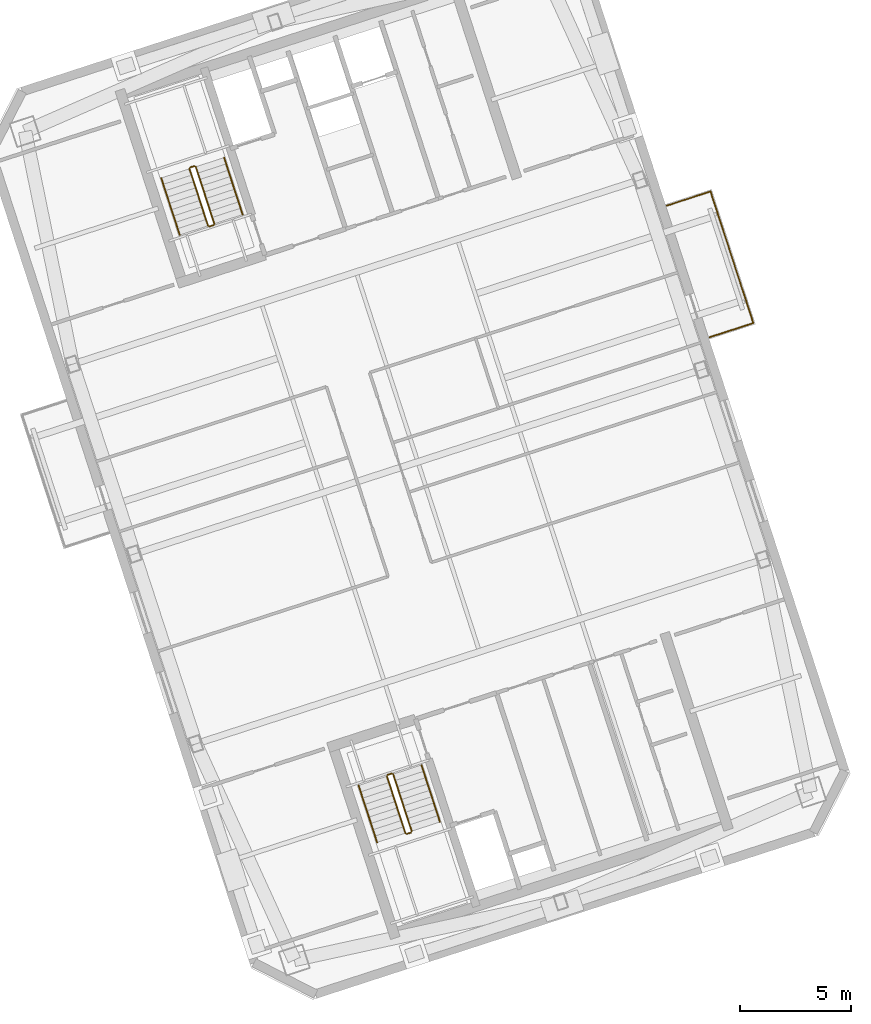
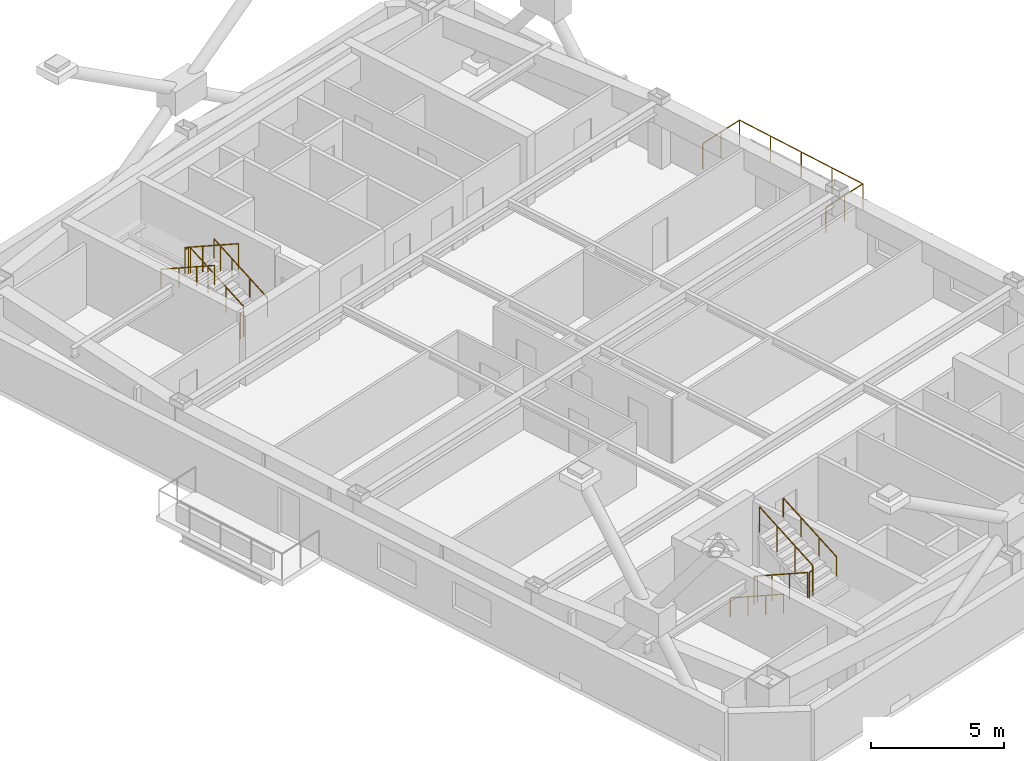
# One storey, part 16 of 16: 13 railings.
"""IFC4 building model written with IfcOpenShell, lengths in metres."""

from ifc_helpers import new_model, si_unit, direction, frame, origin, origin_2d, place, context, subcontext, project, spatial, circle, extrude, material, type_object, element, save


model = new_model("IFC4")

# Units and contexts
model_context = context("Model", 3, precision=1e-05, world=origin(), true_north=direction((0.0, 1.0)))
body_context = subcontext(model_context, "Body", "Model", "MODEL_VIEW")
ifc_project = project(units=[si_unit("LENGTHUNIT", "METRE"), si_unit("AREAUNIT", "SQUARE_METRE"), si_unit("VOLUMEUNIT", "CUBIC_METRE"), si_unit("PLANEANGLEUNIT", "RADIAN"), si_unit("MASSUNIT", "GRAM", prefix="KILO")], contexts=[model_context])

# Site, building, storey
site_placement = place(None, origin())
site = spatial("IfcSite", under=ifc_project, at=site_placement, CompositionType="ELEMENT")
building_placement = place(site_placement, origin())
building = spatial("IfcBuilding", under=site, at=building_placement, Name="Qiaolan Cultural Towers", CompositionType="ELEMENT")
storey_placement = place(building_placement, frame((0.0, 0.0, 240.800048828125)))
storey = spatial("IfcBuildingStorey", under=building, at=storey_placement, Name="L65", CompositionType="ELEMENT", Elevation=240.800048828125)

# Railings
ifc_material_1 = material(Name="Laminated SentryGlas & Stainless Steel S31608 Balustrade", Category="steel")
railing_type_1 = type_object("IfcRailingType", Name="GRD-TERR-1200", PredefinedType="BALUSTRADE", material=ifc_material_1)
railing_1_placement = place(storey_placement, frame((103.156982421875, 39.620849609375, 0.0)))
element("IfcRailing", 1, at=railing_1_placement, inside=storey, type_object=railing_type_1, Name="L65 T2 Tree Balcony Guardrail E", PredefinedType="BALUSTRADE", context=body_context, shape_type="SweptSolid", body=[
    extrude(circle(Radius=0.02392578125, at=origin_2d()), frame((0.0, 0.0, 1.17578125), z_axis=(0.951061799618, 0.309000733507, 0.0), x_axis=(-0.309000733507, 0.951061799618, 0.0)), (0.0, 0.0, 1.0), 2.070068359375),
    extrude(circle(Radius=0.02392578125, at=origin_2d()), frame((1.96875, 0.6396484375, 1.17578125), z_axis=(-0.30901175762, 0.951058217804, 0.0), x_axis=(-0.951058217804, -0.30901175762, 0.0)), (0.0, 0.0, 1.0), 6.239990234375),
    extrude(circle(Radius=0.02392578125, at=origin_2d()), frame((0.04052734375, 6.57421875, 1.17578125), z_axis=(-0.951061799618, -0.309000733507, 0.0), x_axis=(0.309000733507, -0.951061799618, 0.0)), (0.0, 0.0, 1.0), 2.070068359375),
    extrude(circle(Radius=0.02099609375, at=origin_2d()), origin(), (0.0, 0.0, 1.0), 1.15185546875),
    extrude(circle(Radius=0.02099609375, at=origin_2d()), frame((0.984375, 0.31982421875, 0.0)), (0.0, 0.0, 1.0), 1.15185546875),
    extrude(circle(Radius=0.02099609375, at=origin_2d()), frame((1.96875, 0.6396484375, 0.0)), (0.0, 0.0, 1.0), 1.15185546875),
    extrude(circle(Radius=0.02099609375, at=origin_2d()), frame((1.48681640625, 2.123291015625, 0.0)), (0.0, 0.0, 1.0), 1.15185546875),
    extrude(circle(Radius=0.02099609375, at=origin_2d()), frame((1.004638671875, 3.60693359375, 0.0)), (0.0, 0.0, 1.0), 1.15185546875),
    extrude(circle(Radius=0.02099609375, at=origin_2d()), frame((0.5224609375, 5.090576171875, 0.0)), (0.0, 0.0, 1.0), 1.15185546875),
    extrude(circle(Radius=0.02099609375, at=origin_2d()), frame((0.04052734375, 6.57421875, 0.0)), (0.0, 0.0, 1.0), 1.15185546875),
    extrude(circle(Radius=0.02099609375, at=origin_2d()), frame((-0.94384765625, 6.25439453125, 0.0)), (0.0, 0.0, 1.0), 1.15185546875),
    extrude(circle(Radius=0.02099609375, at=origin_2d()), frame((-1.92822265625, 5.9345703125, 0.0)), (0.0, 0.0, 1.0), 1.15185546875),
])
ifc_material_2 = material(Name="Galvanized Painted Steel Stair Guardrail", Category="steel")
railing_type_2 = type_object("IfcRailingType", Name="RL-STAIR-GRD", PredefinedType="GUARDRAIL", material=ifc_material_2)
railing_2_placement = place(storey_placement, frame((88.60205078125, 19.82421875, 0.159912109375)))
element("IfcRailing", 2, at=railing_2_placement, inside=storey, type_object=railing_type_2, Name="L65 ST-E1 stair guard 1", PredefinedType="GUARDRAIL", context=body_context, shape_type="SweptSolid", body=[
    extrude(circle(Radius=0.02392578125, at=origin_2d()), frame((0.0, 0.0, 1.17578125), z_axis=(0.272701475514, -0.839167384275, 0.470565623926), x_axis=(0.951043371037, 0.309057448393, 0.0)), (0.0, 0.0, 1.0), 3.06005859375),
    extrude(circle(Radius=0.02099609375, at=origin_2d()), origin(), (0.0, 0.0, 1.0), 1.15185546875),
    extrude(circle(Radius=0.02099609375, at=origin_2d()), frame((0.278076171875, -0.85595703125, 0.47998046875)), (0.0, 0.0, 1.0), 1.15185546875),
    extrude(circle(Radius=0.02099609375, at=origin_2d()), frame((0.556396484375, -1.7119140625, 0.9599609375)), (0.0, 0.0, 1.0), 1.15185546875),
    extrude(circle(Radius=0.02099609375, at=origin_2d()), frame((0.83447265625, -2.56787109375, 1.43994140625)), (0.0, 0.0, 1.0), 1.15185546875),
])
railing_3_placement = place(storey_placement, frame((89.49951171875, 17.224365234375, 1.599853515625)))
element("IfcRailing", 3, at=railing_3_placement, inside=storey, type_object=railing_type_2, Name="L65 ST-E1 stair guard 2", PredefinedType="GUARDRAIL", context=body_context, shape_type="SweptSolid", body=[
    extrude(circle(Radius=0.02392578125, at=origin_2d()), frame((0.0, 0.0, 1.17578125), z_axis=(0.951096855055, 0.308892816854, 0.0), x_axis=(-0.308892816854, 0.951096855055, 0.0)), (0.0, 0.0, 1.0), 0.199951171875),
    extrude(circle(Radius=0.02099609375, at=origin_2d()), origin(), (0.0, 0.0, 1.0), 1.15185546875),
    extrude(circle(Radius=0.02099609375, at=origin_2d()), frame((0.190185546875, 0.061767578125, 0.0)), (0.0, 0.0, 1.0), 1.15185546875),
])
railing_4_placement = place(storey_placement, frame((89.721923828125, 17.34912109375, 1.760009765625)))
element("IfcRailing", 4, at=railing_4_placement, inside=storey, type_object=railing_type_2, Name="L65 ST-E1 stair guard 3", PredefinedType="GUARDRAIL", context=body_context, shape_type="SweptSolid", body=[
    extrude(circle(Radius=0.02392578125, at=origin_2d()), frame((0.0, 0.0, 1.17578125), z_axis=(-0.272701475514, 0.839167384275, 0.470565623926), x_axis=(-0.951043371037, -0.309057448393, 0.0)), (0.0, 0.0, 1.0), 3.06005859375),
    extrude(circle(Radius=0.02099609375, at=origin_2d()), origin(), (0.0, 0.0, 1.0), 1.15185546875),
    extrude(circle(Radius=0.02099609375, at=origin_2d()), frame((-0.278076171875, 0.85595703125, 0.47998046875)), (0.0, 0.0, 1.0), 1.15185546875),
    extrude(circle(Radius=0.02099609375, at=origin_2d()), frame((-0.556396484375, 1.7119140625, 0.9599609375)), (0.0, 0.0, 1.0), 1.15185546875),
    extrude(circle(Radius=0.02099609375, at=origin_2d()), frame((-0.83447265625, 2.56787109375, 1.43994140625)), (0.0, 0.0, 1.0), 1.15185546875),
])
railing_5_placement = place(storey_placement, frame((88.63427734375, 19.88720703125, 0.0)))
element("IfcRailing", 5, at=railing_5_placement, inside=storey, type_object=railing_type_2, Name="L65 ST-E1 stair guard 4", PredefinedType="GUARDRAIL", context=body_context, shape_type="SweptSolid", body=[
    extrude(circle(Radius=0.02392578125, at=origin_2d()), frame((0.0, 0.0, 1.17578125), z_axis=(0.951096855055, 0.308892816854, 0.0), x_axis=(-0.308892816854, 0.951096855055, 0.0)), (0.0, 0.0, 1.0), 0.199951171875),
    extrude(circle(Radius=0.02099609375, at=origin_2d()), origin(), (0.0, 0.0, 1.0), 1.15185546875),
    extrude(circle(Radius=0.02099609375, at=origin_2d()), frame((0.190185546875, 0.061767578125, 0.0)), (0.0, 0.0, 1.0), 1.15185546875),
])
railing_6_placement = place(storey_placement, frame((80.822021484375, 44.739501953125, 0.159912109375)))
element("IfcRailing", 6, at=railing_6_placement, inside=storey, type_object=railing_type_2, Name="L65 ST-E2 stair guard 1", PredefinedType="GUARDRAIL", context=body_context, shape_type="SweptSolid", body=[
    extrude(circle(Radius=0.02392578125, at=origin_2d()), frame((0.0, 0.0, 1.17578125), z_axis=(-0.272627622392, 0.839185640129, 0.470575860951), x_axis=(-0.951069945308, -0.308975661068, 0.0)), (0.0, 0.0, 1.0), 3.06005859375),
    extrude(circle(Radius=0.02099609375, at=origin_2d()), origin(), (0.0, 0.0, 1.0), 1.15185546875),
    extrude(circle(Radius=0.02099609375, at=origin_2d()), frame((-0.278076171875, 0.85595703125, 0.47998046875)), (0.0, 0.0, 1.0), 1.15185546875),
    extrude(circle(Radius=0.02099609375, at=origin_2d()), frame((-0.55615234375, 1.7119140625, 0.9599609375)), (0.0, 0.0, 1.0), 1.15185546875),
    extrude(circle(Radius=0.02099609375, at=origin_2d()), frame((-0.834228515625, 2.56787109375, 1.43994140625)), (0.0, 0.0, 1.0), 1.15185546875),
])
railing_7_placement = place(storey_placement, frame((79.9248046875, 47.33935546875, 1.599853515625)))
element("IfcRailing", 7, at=railing_7_placement, inside=storey, type_object=railing_type_2, Name="L65 ST-E2 stair guard 2", PredefinedType="GUARDRAIL", context=body_context, shape_type="SweptSolid", body=[
    extrude(circle(Radius=0.02392578125, at=origin_2d()), frame((0.0, 0.0, 1.17578125), z_axis=(-0.951096855055, -0.308892816854, 0.0), x_axis=(0.308892816854, -0.951096855055, 0.0)), (0.0, 0.0, 1.0), 0.199951171875),
    extrude(circle(Radius=0.02099609375, at=origin_2d()), origin(), (0.0, 0.0, 1.0), 1.15185546875),
    extrude(circle(Radius=0.02099609375, at=origin_2d()), frame((-0.190185546875, -0.061767578125, 0.0)), (0.0, 0.0, 1.0), 1.15185546875),
])
railing_8_placement = place(storey_placement, frame((79.702392578125, 47.214599609375, 1.760009765625)))
element("IfcRailing", 8, at=railing_8_placement, inside=storey, type_object=railing_type_2, Name="L65 ST-E2 stair guard 3", PredefinedType="GUARDRAIL", context=body_context, shape_type="SweptSolid", body=[
    extrude(circle(Radius=0.02392578125, at=origin_2d()), frame((0.0, 0.0, 1.17578125), z_axis=(0.272701475514, -0.839167384275, 0.470565623926), x_axis=(0.951043371037, 0.309057448393, 0.0)), (0.0, 0.0, 1.0), 3.06005859375),
    extrude(circle(Radius=0.02099609375, at=origin_2d()), origin(), (0.0, 0.0, 1.0), 1.15185546875),
    extrude(circle(Radius=0.02099609375, at=origin_2d()), frame((0.278076171875, -0.85595703125, 0.47998046875)), (0.0, 0.0, 1.0), 1.15185546875),
    extrude(circle(Radius=0.02099609375, at=origin_2d()), frame((0.556396484375, -1.7119140625, 0.9599609375)), (0.0, 0.0, 1.0), 1.15185546875),
    extrude(circle(Radius=0.02099609375, at=origin_2d()), frame((0.83447265625, -2.56787109375, 1.43994140625)), (0.0, 0.0, 1.0), 1.15185546875),
])
railing_9_placement = place(storey_placement, frame((80.7900390625, 44.676513671875, 0.0)))
element("IfcRailing", 9, at=railing_9_placement, inside=storey, type_object=railing_type_2, Name="L65 ST-E2 stair guard 4", PredefinedType="GUARDRAIL", context=body_context, shape_type="SweptSolid", body=[
    extrude(circle(Radius=0.02392578125, at=origin_2d()), frame((0.0, 0.0, 1.17578125), z_axis=(-0.951096855055, -0.308892816854, 0.0), x_axis=(0.308892816854, -0.951096855055, 0.0)), (0.0, 0.0, 1.0), 0.199951171875),
    extrude(circle(Radius=0.02099609375, at=origin_2d()), origin(), (0.0, 0.0, 1.0), 1.15185546875),
    extrude(circle(Radius=0.02099609375, at=origin_2d()), frame((-0.190185546875, -0.061767578125, 0.0)), (0.0, 0.0, 1.0), 1.15185546875),
])
ifc_material_3 = material(Name="Stainless Steel S30408 Tubular Handrail", Category="steel")
railing_type_3 = type_object("IfcRailingType", Name="RL-STAIR-HR", PredefinedType="HANDRAIL", material=ifc_material_3)
railing_10_placement = place(storey_placement, frame((87.32763671875, 19.41015625, 0.159912109375)))
element("IfcRailing", 10, at=railing_10_placement, inside=storey, type_object=railing_type_3, Name="L65 ST-E1 stair handrail 1", PredefinedType="HANDRAIL", context=body_context, shape_type="SweptSolid", body=[
    extrude(circle(Radius=0.02392578125, at=origin_2d()), frame((0.0, 0.0, 0.8759765625), z_axis=(0.272701475514, -0.839167384275, 0.470565623926), x_axis=(0.951043371037, 0.309057448393, 0.0)), (0.0, 0.0, 1.0), 3.06005859375),
    extrude(circle(Radius=0.02099609375, at=origin_2d()), origin(), (0.0, 0.0, 1.0), 0.851806640625),
    extrude(circle(Radius=0.02099609375, at=origin_2d()), frame((0.278076171875, -0.85595703125, 0.47998046875)), (0.0, 0.0, 1.0), 0.851806640625),
    extrude(circle(Radius=0.02099609375, at=origin_2d()), frame((0.556396484375, -1.7119140625, 0.9599609375)), (0.0, 0.0, 1.0), 0.851806640625),
    extrude(circle(Radius=0.02099609375, at=origin_2d()), frame((0.83447265625, -2.56787109375, 1.43994140625)), (0.0, 0.0, 1.0), 0.851806640625),
])
railing_11_placement = place(storey_placement, frame((90.996337890625, 17.76318359375, 1.760009765625)))
element("IfcRailing", 11, at=railing_11_placement, inside=storey, type_object=railing_type_3, Name="L65 ST-E1 stair handrail 2", PredefinedType="HANDRAIL", context=body_context, shape_type="SweptSolid", body=[
    extrude(circle(Radius=0.02392578125, at=origin_2d()), frame((0.0, 0.0, 0.8759765625), z_axis=(-0.272701475514, 0.839167384275, 0.470565623926), x_axis=(-0.951043371037, -0.309057448393, 0.0)), (0.0, 0.0, 1.0), 3.06005859375),
    extrude(circle(Radius=0.02099609375, at=origin_2d()), origin(), (0.0, 0.0, 1.0), 0.851806640625),
    extrude(circle(Radius=0.02099609375, at=origin_2d()), frame((-0.278076171875, 0.85595703125, 0.47998046875)), (0.0, 0.0, 1.0), 0.851806640625),
    extrude(circle(Radius=0.02099609375, at=origin_2d()), frame((-0.556396484375, 1.7119140625, 0.9599609375)), (0.0, 0.0, 1.0), 0.851806640625),
    extrude(circle(Radius=0.02099609375, at=origin_2d()), frame((-0.83447265625, 2.56787109375, 1.43994140625)), (0.0, 0.0, 1.0), 0.851806640625),
])
railing_12_placement = place(storey_placement, frame((82.096435546875, 45.153564453125, 0.159912109375)))
element("IfcRailing", 12, at=railing_12_placement, inside=storey, type_object=railing_type_3, Name="L65 ST-E2 stair handrail 1", PredefinedType="HANDRAIL", context=body_context, shape_type="SweptSolid", body=[
    extrude(circle(Radius=0.02392578125, at=origin_2d()), frame((0.0, 0.0, 0.8759765625), z_axis=(-0.272627622392, 0.839185640129, 0.470575860951), x_axis=(-0.951069945308, -0.308975661068, 0.0)), (0.0, 0.0, 1.0), 3.06005859375),
    extrude(circle(Radius=0.02099609375, at=origin_2d()), origin(), (0.0, 0.0, 1.0), 0.851806640625),
    extrude(circle(Radius=0.02099609375, at=origin_2d()), frame((-0.278076171875, 0.85595703125, 0.47998046875)), (0.0, 0.0, 1.0), 0.851806640625),
    extrude(circle(Radius=0.02099609375, at=origin_2d()), frame((-0.55615234375, 1.7119140625, 0.9599609375)), (0.0, 0.0, 1.0), 0.851806640625),
    extrude(circle(Radius=0.02099609375, at=origin_2d()), frame((-0.834228515625, 2.56787109375, 1.43994140625)), (0.0, 0.0, 1.0), 0.851806640625),
])
railing_13_placement = place(storey_placement, frame((78.427978515625, 46.800537109375, 1.760009765625)))
element("IfcRailing", 13, at=railing_13_placement, inside=storey, type_object=railing_type_3, Name="L65 ST-E2 stair handrail 2", PredefinedType="HANDRAIL", context=body_context, shape_type="SweptSolid", body=[
    extrude(circle(Radius=0.02392578125, at=origin_2d()), frame((0.0, 0.0, 0.8759765625), z_axis=(0.272701475514, -0.839167384275, 0.470565623926), x_axis=(0.951043371037, 0.309057448393, 0.0)), (0.0, 0.0, 1.0), 3.06005859375),
    extrude(circle(Radius=0.02099609375, at=origin_2d()), origin(), (0.0, 0.0, 1.0), 0.851806640625),
    extrude(circle(Radius=0.02099609375, at=origin_2d()), frame((0.278076171875, -0.85595703125, 0.47998046875)), (0.0, 0.0, 1.0), 0.851806640625),
    extrude(circle(Radius=0.02099609375, at=origin_2d()), frame((0.556396484375, -1.7119140625, 0.9599609375)), (0.0, 0.0, 1.0), 0.851806640625),
    extrude(circle(Radius=0.02099609375, at=origin_2d()), frame((0.83447265625, -2.56787109375, 1.43994140625)), (0.0, 0.0, 1.0), 0.851806640625),
])

save(model, "model.ifc")
